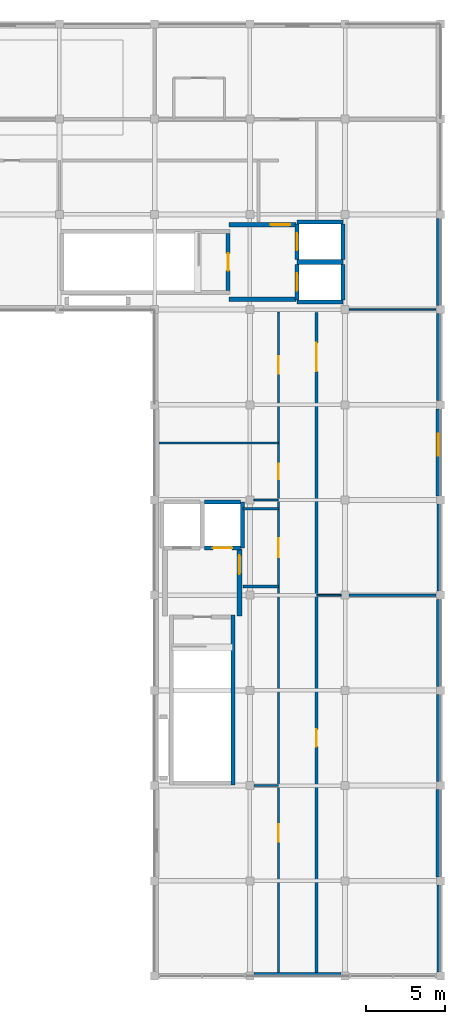
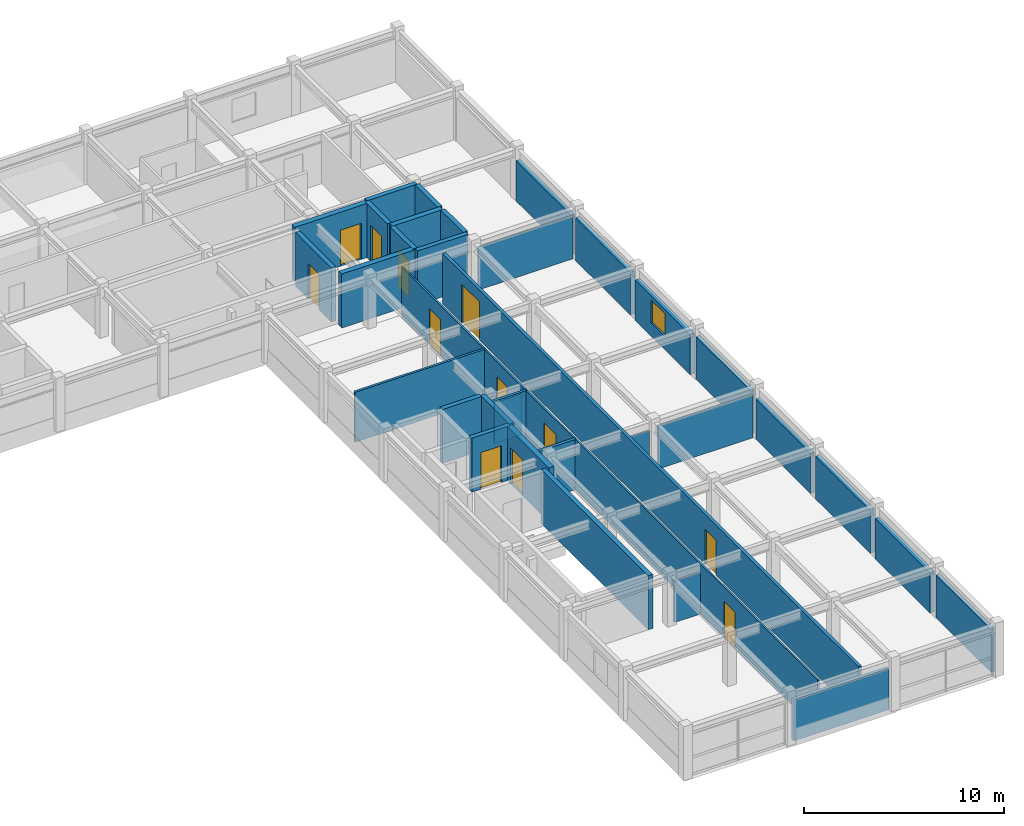
# One storey, part 9 of 11: 34 walls, 12 doors, 1 window, 13 openings.
"""IFC4 building model written with IfcOpenShell, lengths in metres."""

from ifc_helpers import new_model, si_unit, direction, frame, frame_2d, origin, place, context, subcontext, project, spatial, rectangle, extrude, material, layer, layer_set, type_object, element, fill, save


model = new_model("IFC4")

# Units and contexts
model_context = context("Model", 3, precision=1e-05, world=origin(), true_north=direction((0.0, 1.0)))
body_context = subcontext(model_context, "Body", "Model", "MODEL_VIEW")
ifc_project = project(units=[si_unit("LENGTHUNIT", "METRE"), si_unit("AREAUNIT", "SQUARE_METRE"), si_unit("VOLUMEUNIT", "CUBIC_METRE"), si_unit("PLANEANGLEUNIT", "RADIAN"), si_unit("MASSUNIT", "GRAM", prefix="KILO"), si_unit("THERMODYNAMICTEMPERATUREUNIT", "KELVIN"), si_unit("POWERUNIT", "WATT")], contexts=[model_context])

# Site, building, storey
site_placement = place(None, origin())
site = spatial("IfcSite", under=ifc_project, at=site_placement, CompositionType="ELEMENT")
building_placement = place(site_placement, origin())
building = spatial("IfcBuilding", under=site, at=building_placement, Name="Phaisarnlok Congress Hotel", CompositionType="ELEMENT")
storey_placement = place(building_placement, frame((0.0, 0.0, 51.300048828125)))
storey = spatial("IfcBuildingStorey", under=building, at=storey_placement, Name="L13", CompositionType="ELEMENT", Elevation=51.300048828125)

# Walls
ifc_material_1 = material(Name="Concrete C40/50", Category="concrete")
ifc_layer_1 = layer(ifc_material_1, 0.2099609375, Name="Concrete C40/50")
ifc_layer_set_1 = layer_set([ifc_layer_1], Name="Concrete C40/50")
wall_type_1 = type_object("IfcWallType", Name="WL-EXT-210", PredefinedType="SOLIDWALL", material=ifc_layer_set_1)
for number, where, z_axis, x_axis, name in (
    (1, (179.89501953125, 66.2548828125, 0.0), (0.0, 0.0, 1.0), (0.0, 1.0, 0.0), "Exterior wall EW-07 (L13)"),
    (2, (179.89501953125, 90.2548828125, 0.0), (0.0, 0.0, 1.0), (0.0, 1.0, 0.0), "Exterior wall EW-07 (L13)"),
):
    element("IfcWall", number, at=place(storey_placement, frame(where, z_axis=z_axis, x_axis=x_axis)), inside=storey, type_object=wall_type_1, Name=name, PredefinedType="SOLIDWALL", context=body_context, shape_type="SweptSolid", body=[
        extrude(rectangle(XDim=5.490234375, YDim=0.2099609375, at=frame_2d((2.7451171875, 0.0))), origin(), (0.0, 0.0, 1.0), 2.60986328125),
    ])
wall_1_placement = place(storey_placement, frame((168.2548828125, 66.10498046875, 0.0), z_axis=(0.0, 0.0, 1.0), x_axis=(1.0, 0.0, 0.0)))
element("IfcWall", 3, at=wall_1_placement, inside=storey, type_object=wall_type_1, Name="Exterior wall EW-07 (L13)", PredefinedType="SOLIDWALL", context=body_context, shape_type="SweptSolid", body=[
    extrude(rectangle(XDim=5.490234375, YDim=0.2099609375, at=frame_2d((2.7451171875, 0.0))), origin(), (0.0, 0.0, 1.0), 2.510009765625),
])
ifc_layer_2 = layer(ifc_material_1, 0.22998046875, Name="Concrete C40/50")
ifc_layer_set_2 = layer_set([ifc_layer_2], Name="Concrete C40/50")
wall_type_2 = type_object("IfcWallType", Name="WL-EXT-230", PredefinedType="SOLIDWALL", material=ifc_layer_set_2)
for number, where, z_axis, x_axis, name in (
    (4, (179.885009765625, 84.2548828125, 0.0), (0.0, 0.0, 1.0), (0.0, 1.0, 0.0), "Exterior wall EW-06 (L13)"),
    (5, (179.885009765625, 108.2548828125, 0.0), (0.0, 0.0, 1.0), (0.0, 1.0, 0.0), "Exterior wall EW-06 (L13)"),
):
    element("IfcWall", number, at=place(storey_placement, frame(where, z_axis=z_axis, x_axis=x_axis)), inside=storey, type_object=wall_type_2, Name=name, PredefinedType="SOLIDWALL", context=body_context, shape_type="SweptSolid", body=[
        extrude(rectangle(XDim=5.490234375, YDim=0.22998046875, at=frame_2d((2.7451171875, 0.0))), origin(), (0.0, 0.0, 1.0), 2.4599609375),
    ])
ifc_layer_3 = layer(ifc_material_1, 0.25, Name="Concrete C40/50")
ifc_layer_set_3 = layer_set([ifc_layer_3], Name="Concrete C40/50")
wall_type_3 = type_object("IfcWallType", Name="WL-EXT-250", PredefinedType="SOLIDWALL", material=ifc_layer_set_3)
for number, where, z_axis, x_axis, name in (
    (6, (179.875, 78.2548828125, 0.0), (0.0, 0.0, 1.0), (0.0, 1.0, 0.0), "Exterior wall EW-05 (L13)"),
    (7, (179.875, 102.2548828125, 0.0), (0.0, 0.0, 1.0), (0.0, 1.0, 0.0), "Exterior wall EW-05 (L13)"),
):
    element("IfcWall", number, at=place(storey_placement, frame(where, z_axis=z_axis, x_axis=x_axis)), inside=storey, type_object=wall_type_3, Name=name, PredefinedType="SOLIDWALL", context=body_context, shape_type="SweptSolid", body=[
        extrude(rectangle(XDim=5.490234375, YDim=0.25, at=frame_2d((2.7451171875, 0.0))), origin(), (0.0, 0.0, 1.0), 2.60986328125),
    ])
ifc_layer_4 = layer(ifc_material_1, 0.27001953125, Name="Concrete C40/50")
ifc_layer_set_4 = layer_set([ifc_layer_4], Name="Concrete C40/50")
wall_type_4 = type_object("IfcWallType", Name="WL-EXT-270", PredefinedType="SOLIDWALL", material=ifc_layer_set_4)
wall_2_placement = place(storey_placement, frame((179.864990234375, 72.2548828125, 0.0), z_axis=(0.0, 0.0, 1.0), x_axis=(0.0, 1.0, 0.0)))
element("IfcWall", 8, at=wall_2_placement, inside=storey, type_object=wall_type_4, Name="Exterior wall EW-04 (L13)", PredefinedType="SOLIDWALL", context=body_context, shape_type="SweptSolid", body=[
    extrude(rectangle(XDim=5.490234375, YDim=0.27001953125, at=frame_2d((2.7451171875, 0.0))), origin(), (0.0, 0.0, 1.0), 2.4599609375),
])

# Wall, opening, window
wall_3_placement = place(storey_placement, frame((179.864990234375, 96.2548828125, 0.0), z_axis=(0.0, 0.0, 1.0), x_axis=(0.0, 1.0, 0.0)))
wall_3 = element("IfcWall", 9, at=wall_3_placement, inside=storey, type_object=wall_type_4, Name="Exterior wall EW-04 (L13)", PredefinedType="SOLIDWALL", context=body_context, shape_type="SweptSolid", body=[
    extrude(rectangle(XDim=5.490234375, YDim=0.27001953125, at=frame_2d((2.7451171875, 0.0))), origin(), (0.0, 0.0, 1.0), 2.4599609375),
])
opening_1_placement = place(wall_3_placement, frame((2.51806640625, 0.0, 0.800048828125)))
opening_1 = element("IfcOpeningElement", 10, at=opening_1_placement, cuts=wall_3, Name="Opening W-13", PredefinedType="OPENING", context=body_context, shape_type="SweptSolid", body=[
    extrude(rectangle(XDim=1.39990234375, YDim=1.39990234375, at=frame_2d((0.699951171875, 0.699951171875))), frame((0.0, 0.14501953125, 0.0), z_axis=(0.0, -1.0, 0.0), x_axis=(1.0, 0.0, 0.0)), (0.0, 0.0, 1.0), 0.2900390625),
])
ifc_material_2 = material(Name="Thermally Broken Aluminium & Low-E Double Glazing", Category="aluminium")
window_type = type_object("IfcWindowType", Name="WIN-POD-1400", PartitioningType="SINGLE_PANEL", PredefinedType="WINDOW", material=ifc_material_2)
window_placement = place(opening_1_placement, origin())
window = element("IfcWindow", 11, at=window_placement, inside=storey, type_object=window_type, Name="Guestroom window W-13 (L13)", OverallHeight=1.39990234375, OverallWidth=1.39990234375, PartitioningType="SINGLE_PANEL", PredefinedType="WINDOW", context=body_context, shape_type="SweptSolid", body=[
    extrude(rectangle(XDim=1.39990234375, YDim=1.39990234375, at=frame_2d((0.699951171875, 0.699951171875))), frame((0.0, 0.030029296875, 0.0), z_axis=(0.0, -1.0, 0.0), x_axis=(1.0, 0.0, 0.0)), (0.0, 0.0, 1.0), 0.06005859375),
])
fill(opening_1, window)

# Wall, openings, doors
ifc_material_3 = material(Name="Service Riser Shaftwall Partition", Category="gypsum")
ifc_layer_5 = layer(ifc_material_3, 0.10498046875, Name="Service Riser Shaftwall Partition")
ifc_layer_set_5 = layer_set([ifc_layer_5], Name="Service Riser Shaftwall Partition")
wall_type_5 = type_object("IfcWallType", Name="WL-INT-105", PredefinedType="PARTITIONING", material=ifc_layer_set_5)
wall_4_placement = place(storey_placement, frame((169.800048828125, 66.215087890625, 0.0), z_axis=(0.0, 0.0, 1.0), x_axis=(0.0, 1.0, 0.0)))
wall_4 = element("IfcWall", 12, at=wall_4_placement, inside=storey, type_object=wall_type_5, Name="Interior partition wall IW-08 (L13)", PredefinedType="PARTITIONING", context=body_context, shape_type="SweptSolid", body=[
    extrude(rectangle(XDim=41.60498046875, YDim=0.10498046875, at=frame_2d((20.802490234375, 0.0))), origin(), (0.0, 0.0, 1.0), 3.06005859375),
])
opening_2_placement = place(wall_4_placement, frame((26.18505859375, 0.0, 0.0)))
opening_2 = element("IfcOpeningElement", 13, at=opening_2_placement, cuts=wall_4, Name="Opening D-0726", PredefinedType="OPENING", context=body_context, shape_type="SweptSolid", body=[
    extrude(rectangle(XDim=1.199951171875, YDim=2.199951171875, at=frame_2d((0.60009765625, 1.10009765625))), frame((0.0, 0.0625, 0.0), z_axis=(0.0, -1.0, 0.0), x_axis=(1.0, 0.0, 0.0)), (0.0, 0.0, 1.0), 0.125),
])
opening_3_placement = place(wall_4_placement, frame((8.235107421875, 0.0, 0.0)))
opening_3 = element("IfcOpeningElement", 14, at=opening_3_placement, cuts=wall_4, Name="Opening D-0737", PredefinedType="OPENING", context=body_context, shape_type="SweptSolid", body=[
    extrude(rectangle(XDim=1.10009765625, YDim=2.199951171875, at=frame_2d((0.550048828125, 1.10009765625))), frame((0.0, 0.0625, 0.0), z_axis=(0.0, -1.0, 0.0), x_axis=(1.0, 0.0, 0.0)), (0.0, 0.0, 1.0), 0.125),
])
opening_4_placement = place(wall_4_placement, frame((37.735107421875, 0.0, 0.0)))
opening_4 = element("IfcOpeningElement", 15, at=opening_4_placement, cuts=wall_4, Name="Opening D-0738", PredefinedType="OPENING", context=body_context, shape_type="SweptSolid", body=[
    extrude(rectangle(XDim=1.10009765625, YDim=2.199951171875, at=frame_2d((0.550048828125, 1.10009765625))), frame((0.0, 0.0625, 0.0), z_axis=(0.0, -1.0, 0.0), x_axis=(1.0, 0.0, 0.0)), (0.0, 0.0, 1.0), 0.125),
])
opening_5_placement = place(wall_4_placement, frame((31.0849609375, 0.0, 0.0)))
opening_5 = element("IfcOpeningElement", 16, at=opening_5_placement, cuts=wall_4, Name="Opening D-0740", PredefinedType="OPENING", context=body_context, shape_type="SweptSolid", body=[
    extrude(rectangle(XDim=1.0, YDim=2.14990234375, at=frame_2d((0.5, 1.074951171875))), frame((0.0, 0.0625, 0.0), z_axis=(0.0, -1.0, 0.0), x_axis=(1.0, 0.0, 0.0)), (0.0, 0.0, 1.0), 0.125),
])
ifc_material_4 = material(Name="Acoustic Solid-Core Teak Veneer", Category="wood")
door_type_1 = type_object("IfcDoorType", Name="DR-FD30-1100", OperationType="NOTDEFINED", PredefinedType="DOOR", material=ifc_material_4)
door_1_placement = place(opening_3_placement, origin())
door_1 = element("IfcDoor", 17, at=door_1_placement, inside=storey, type_object=door_type_1, Name="Interior door D-0737 (L13)", OperationType="SINGLE_SWING_LEFT", OverallHeight=2.199951171875, OverallWidth=1.10009765625, PredefinedType="DOOR", context=body_context, shape_type="SweptSolid", body=[
    extrude(rectangle(XDim=1.10009765625, YDim=2.199951171875, at=frame_2d((0.550048828125, 1.10009765625))), frame((0.0, 0.02490234375, 0.0), z_axis=(0.0, -1.0, 0.0), x_axis=(1.0, 0.0, 0.0)), (0.0, 0.0, 1.0), 0.050048828125),
])
fill(opening_3, door_1)
door_2_placement = place(opening_4_placement, origin())
door_2 = element("IfcDoor", 18, at=door_2_placement, inside=storey, type_object=door_type_1, Name="Interior door D-0738 (L13)", OperationType="SINGLE_SWING_RIGHT", OverallHeight=2.199951171875, OverallWidth=1.10009765625, PredefinedType="DOOR", context=body_context, shape_type="SweptSolid", body=[
    extrude(rectangle(XDim=1.10009765625, YDim=2.199951171875, at=frame_2d((0.550048828125, 1.10009765625))), frame((0.0, 0.02490234375, 0.0), z_axis=(0.0, -1.0, 0.0), x_axis=(1.0, 0.0, 0.0)), (0.0, 0.0, 1.0), 0.050048828125),
])
fill(opening_4, door_2)
ifc_material_5 = material(Name="Fire-Rated Steel Frame & Timber Leaf", Category="steel")
door_type_2 = type_object("IfcDoorType", Name="DR-FD60-1200", OperationType="NOTDEFINED", PredefinedType="DOOR", material=ifc_material_5)
door_3_placement = place(opening_2_placement, origin())
door_3 = element("IfcDoor", 19, at=door_3_placement, inside=storey, type_object=door_type_2, Name="Interior door D-0726 (L13)", OperationType="SINGLE_SWING_LEFT", OverallHeight=2.199951171875, OverallWidth=1.199951171875, PredefinedType="DOOR", context=body_context, shape_type="SweptSolid", body=[
    extrude(rectangle(XDim=1.199951171875, YDim=2.199951171875, at=frame_2d((0.60009765625, 1.10009765625))), frame((0.0, 0.02490234375, 0.0), z_axis=(0.0, -1.0, 0.0), x_axis=(1.0, 0.0, 0.0)), (0.0, 0.0, 1.0), 0.050048828125),
])
fill(opening_2, door_3)
ifc_material_6 = material(Name="Solid-Core Oak Veneer", Category="wood")
door_type_3 = type_object("IfcDoorType", Name="DR-INT-1000", OperationType="NOTDEFINED", PredefinedType="DOOR", material=ifc_material_6)
door_4_placement = place(opening_5_placement, origin())
door_4 = element("IfcDoor", 20, at=door_4_placement, inside=storey, type_object=door_type_3, Name="Interior door D-0740 (L13)", OperationType="SINGLE_SWING_RIGHT", OverallHeight=2.14990234375, OverallWidth=1.0, PredefinedType="DOOR", context=body_context, shape_type="SweptSolid", body=[
    extrude(rectangle(XDim=1.0, YDim=2.14990234375, at=frame_2d((0.5, 1.074951171875))), frame((0.0, 0.02490234375, 0.0), z_axis=(0.0, -1.0, 0.0), x_axis=(1.0, 0.0, 0.0)), (0.0, 0.0, 1.0), 0.050048828125),
])
fill(opening_5, door_4)

# Walls
wall_5_placement = place(storey_placement, frame((174.2548828125, 108.0, 0.0), z_axis=(0.0, 0.0, 1.0), x_axis=(1.0, 0.0, 0.0)))
element("IfcWall", 21, at=wall_5_placement, inside=storey, type_object=wall_type_5, Name="Interior partition wall IW-08 (L13)", PredefinedType="PARTITIONING", context=body_context, shape_type="SweptSolid", body=[
    extrude(rectangle(XDim=5.465087890625, YDim=0.10498046875, at=frame_2d((2.732421875, 0.0))), origin(), (0.0, 0.0, 1.0), 2.619873046875),
])
ifc_material_7 = material(Name="Lightweight Metal-Stud Gypsum Partition", Category="gypsum")
ifc_layer_6 = layer(ifc_material_7, 0.1201171875, Name="Lightweight Metal-Stud Gypsum Partition")
ifc_layer_set_6 = layer_set([ifc_layer_6], Name="Lightweight Metal-Stud Gypsum Partition")
wall_type_6 = type_object("IfcWallType", Name="WL-INT-120", PredefinedType="PARTITIONING", material=ifc_layer_set_6)
for number, where, z_axis, x_axis, name in (
    (22, (172.199951171875, 90.0, 0.0), (0.0, 0.0, 1.0), (1.0, 0.0, 0.0), "Interior partition wall IW-07 (L13)"),
    (23, (168.2548828125, 96.0, 0.0), (0.0, 0.0, 1.0), (1.0, 0.0, 0.0), "Interior partition wall IW-07 (L13)"),
):
    element("IfcWall", number, at=place(storey_placement, frame(where, z_axis=z_axis, x_axis=x_axis)), inside=storey, type_object=wall_type_6, Name=name, PredefinedType="PARTITIONING", context=body_context, shape_type="SweptSolid", body=[
        extrude(rectangle(XDim=1.545166015625, YDim=0.1201171875, at=frame_2d((0.7724609375, 0.0))), origin(), (0.0, 0.0, 1.0), 2.510009765625),
    ])
ifc_material_8 = material(Name="Moisture-Resistant Gypsum Partition", Category="gypsum")
ifc_layer_7 = layer(ifc_material_8, 0.135009765625, Name="Moisture-Resistant Gypsum Partition")
ifc_layer_set_7 = layer_set([ifc_layer_7], Name="Moisture-Resistant Gypsum Partition")
wall_type_7 = type_object("IfcWallType", Name="WL-INT-135", PredefinedType="PARTITIONING", material=ifc_layer_set_7)
wall_6_placement = place(storey_placement, frame((168.2548828125, 78.0, 0.0), z_axis=(0.0, 0.0, 1.0), x_axis=(1.0, 0.0, 0.0)))
element("IfcWall", 24, at=wall_6_placement, inside=storey, type_object=wall_type_7, Name="Interior partition wall IW-06 (L13)", PredefinedType="PARTITIONING", context=body_context, shape_type="SweptSolid", body=[
    extrude(rectangle(XDim=1.545166015625, YDim=0.135009765625, at=frame_2d((0.7724609375, 0.0))), origin(), (0.0, 0.0, 1.0), 2.510009765625),
])
wall_7_placement = place(storey_placement, frame((174.2548828125, 90.0, 0.0), z_axis=(0.0, 0.0, 1.0), x_axis=(1.0, 0.0, 0.0)))
element("IfcWall", 25, at=wall_7_placement, inside=storey, type_object=wall_type_7, Name="Interior partition wall IW-06 (L13)", PredefinedType="PARTITIONING", context=body_context, shape_type="SweptSolid", body=[
    extrude(rectangle(XDim=5.465087890625, YDim=0.135009765625, at=frame_2d((2.732421875, 0.0))), origin(), (0.0, 0.0, 1.0), 2.619873046875),
])
wall_8_placement = place(storey_placement, frame((162.27490234375, 99.60009765625, 0.0), z_axis=(0.0, 0.0, 1.0), x_axis=(1.0, 0.0, 0.0)))
element("IfcWall", 26, at=wall_8_placement, inside=storey, type_object=wall_type_7, Name="Interior partition wall IW-06 (L13)", PredefinedType="PARTITIONING", context=body_context, shape_type="SweptSolid", body=[
    extrude(rectangle(XDim=7.525146484375, YDim=0.135009765625, at=frame_2d((3.7626953125, 0.0))), origin(), (0.0, 0.0, 1.0), 3.06005859375),
])
ifc_material_9 = material(Name="Double-Stud Acoustic Gypsum Partition", Category="gypsum")
ifc_layer_8 = layer(ifc_material_9, 0.159912109375, Name="Double-Stud Acoustic Gypsum Partition")
ifc_layer_set_8 = layer_set([ifc_layer_8], Name="Double-Stud Acoustic Gypsum Partition")
wall_type_8 = type_object("IfcWallType", Name="WL-INT-160", PredefinedType="PARTITIONING", material=ifc_layer_set_8)
wall_9_placement = place(storey_placement, frame((167.56005859375, 95.449951171875, 0.0), z_axis=(0.0, 0.0, 1.0), x_axis=(1.0, 0.0, 0.0)))
element("IfcWall", 27, at=wall_9_placement, inside=storey, type_object=wall_type_8, Name="Interior partition wall IW-04 (L13)", PredefinedType="PARTITIONING", context=body_context, shape_type="SweptSolid", body=[
    extrude(rectangle(XDim=2.239990234375, YDim=0.159912109375, at=frame_2d((1.1201171875, 0.0))), origin(), (0.0, 0.0, 1.0), 3.06005859375),
])

# Wall, openings, doors
ifc_material_10 = material(Name="Autoclaved Aerated Concrete Block", Category="concrete")
ifc_layer_9 = layer(ifc_material_10, 0.179931640625, Name="Autoclaved Aerated Concrete Block")
ifc_layer_set_9 = layer_set([ifc_layer_9], Name="Autoclaved Aerated Concrete Block")
wall_type_9 = type_object("IfcWallType", Name="WL-INT-180", PredefinedType="PARTITIONING", material=ifc_layer_set_9)
wall_10_placement = place(storey_placement, frame((172.199951171875, 66.215087890625, 0.0), z_axis=(0.0, 0.0, 1.0), x_axis=(0.0, 1.0, 0.0)))
wall_10 = element("IfcWall", 28, at=wall_10_placement, inside=storey, type_object=wall_type_9, Name="Interior partition wall IW-03 (L13)", PredefinedType="PARTITIONING", context=body_context, shape_type="SweptSolid", body=[
    extrude(rectangle(XDim=41.60498046875, YDim=0.179931640625, at=frame_2d((20.802490234375, 0.0))), origin(), (0.0, 0.0, 1.0), 3.06005859375),
])
opening_6_placement = place(wall_10_placement, frame((37.885009765625, 0.0, 0.0)))
opening_6 = element("IfcOpeningElement", 29, at=opening_6_placement, cuts=wall_10, Name="Opening D-0735", PredefinedType="OPENING", context=body_context, shape_type="SweptSolid", body=[
    extrude(rectangle(XDim=1.800048828125, YDim=2.35009765625, at=frame_2d((0.89990234375, 1.175048828125))), frame((0.0, 0.10009765625, 0.0), z_axis=(0.0, -1.0, 0.0), x_axis=(1.0, 0.0, 0.0)), (0.0, 0.0, 1.0), 0.199951171875),
])
opening_7_placement = place(wall_10_placement, frame((14.235107421875, 0.0, 0.0)))
opening_7 = element("IfcOpeningElement", 30, at=opening_7_placement, cuts=wall_10, Name="Opening D-0736", PredefinedType="OPENING", context=body_context, shape_type="SweptSolid", body=[
    extrude(rectangle(XDim=1.10009765625, YDim=2.14990234375, at=frame_2d((0.550048828125, 1.074951171875))), frame((0.0, 0.10009765625, 0.0), z_axis=(0.0, -1.0, 0.0), x_axis=(1.0, 0.0, 0.0)), (0.0, 0.0, 1.0), 0.199951171875),
])
door_type_4 = type_object("IfcDoorType", Name="DR-FD60-1100", OperationType="NOTDEFINED", PredefinedType="DOOR", material=ifc_material_5)
door_5_placement = place(opening_7_placement, origin())
door_5 = element("IfcDoor", 31, at=door_5_placement, inside=storey, type_object=door_type_4, Name="Interior door D-0736 (L13)", OperationType="SINGLE_SWING_RIGHT", OverallHeight=2.14990234375, OverallWidth=1.10009765625, PredefinedType="DOOR", context=body_context, shape_type="SweptSolid", body=[
    extrude(rectangle(XDim=1.10009765625, YDim=2.14990234375, at=frame_2d((0.550048828125, 1.074951171875))), frame((0.0, 0.02490234375, 0.0), z_axis=(0.0, -1.0, 0.0), x_axis=(1.0, 0.0, 0.0)), (0.0, 0.0, 1.0), 0.050048828125),
])
fill(opening_7, door_5)
ifc_material_11 = material(Name="Frameless Tempered Acoustic Glass", Category="glass")
door_type_5 = type_object("IfcDoorType", Name="DR-GLZ-1800", OperationType="DOUBLE_DOOR_SINGLE_SWING", PredefinedType="DOOR", material=ifc_material_11)
door_6_placement = place(opening_6_placement, origin())
door_6 = element("IfcDoor", 32, at=door_6_placement, inside=storey, type_object=door_type_5, Name="Interior door D-0735 (L13)", OperationType="DOUBLE_DOOR_SINGLE_SWING", OverallHeight=2.35009765625, OverallWidth=1.800048828125, PredefinedType="DOOR", context=body_context, shape_type="SweptSolid", body=[
    extrude(rectangle(XDim=1.800048828125, YDim=2.35009765625, at=frame_2d((0.89990234375, 1.175048828125))), frame((0.0, 0.02490234375, 0.0), z_axis=(0.0, -1.0, 0.0), x_axis=(1.0, 0.0, 0.0)), (0.0, 0.0, 1.0), 0.050048828125),
])
fill(opening_6, door_6)

# Wall
wall_11_placement = place(storey_placement, frame((167.56005859375, 90.550048828125, 0.0), z_axis=(0.0, 0.0, 1.0), x_axis=(1.0, 0.0, 0.0)))
element("IfcWall", 33, at=wall_11_placement, inside=storey, type_object=wall_type_9, Name="Interior partition wall IW-03 (L13)", PredefinedType="PARTITIONING", context=body_context, shape_type="SweptSolid", body=[
    extrude(rectangle(XDim=2.239990234375, YDim=0.179931640625, at=frame_2d((1.1201171875, 0.0))), origin(), (0.0, 0.0, 1.0), 3.06005859375),
])

# Wall, opening, door
ifc_material_12 = material(Name="Concrete C50/60", Category="concrete")
ifc_layer_10 = layer(ifc_material_12, 0.260009765625, Name="Concrete C50/60")
ifc_layer_set_10 = layer_set([ifc_layer_10], Name="Concrete C50/60")
wall_type_10 = type_object("IfcWallType", Name="WL-SHR-260", PredefinedType="SHEAR", material=ifc_layer_set_10)
wall_12_placement = place(storey_placement, frame((166.6298828125, 109.199951171875, 0.0), z_axis=(0.0, 0.0, 1.0), x_axis=(0.0, 1.0, 0.0)))
wall_12 = element("IfcWall", 34, at=wall_12_placement, inside=storey, type_object=wall_type_10, Name="Stair shaft shear wall SW-04 (CORE-1 L13)", PredefinedType="SHEAR", context=body_context, shape_type="SweptSolid", body=[
    extrude(rectangle(XDim=3.60009765625, YDim=0.260009765625, at=frame_2d((1.800048828125, 0.0))), origin(), (0.0, 0.0, 1.0), 3.300048828125),
])
opening_8_placement = place(wall_12_placement, frame((1.25, 0.0, 0.0)))
opening_8 = element("IfcOpeningElement", 35, at=opening_8_placement, cuts=wall_12, Name="Opening FD-015", PredefinedType="OPENING", context=body_context, shape_type="SweptSolid", body=[
    extrude(rectangle(XDim=1.10009765625, YDim=2.14990234375, at=frame_2d((0.550048828125, 1.074951171875))), frame((0.0, 0.14013671875, 0.0), z_axis=(0.0, -1.0, 0.0), x_axis=(1.0, 0.0, 0.0)), (0.0, 0.0, 1.0), 0.280029296875),
])
door_7_placement = place(opening_8_placement, origin())
door_7 = element("IfcDoor", 36, at=door_7_placement, inside=storey, type_object=door_type_4, Name="Stair enclosure fire door FD-015 (L13)", OperationType="SINGLE_SWING_RIGHT", OverallHeight=2.14990234375, OverallWidth=1.10009765625, PredefinedType="DOOR", context=body_context, shape_type="SweptSolid", body=[
    extrude(rectangle(XDim=1.10009765625, YDim=2.14990234375, at=frame_2d((0.550048828125, 1.074951171875))), frame((0.0, 0.02490234375, 0.0), z_axis=(0.0, -1.0, 0.0), x_axis=(1.0, 0.0, 0.0)), (0.0, 0.0, 1.0), 0.050048828125),
])
fill(opening_8, door_7)

# Walls
wall_13_placement = place(storey_placement, frame((170.969970703125, 108.469970703125, 0.0), z_axis=(0.0, 0.0, 1.0), x_axis=(1.0, 0.0, 0.0)))
element("IfcWall", 37, at=wall_13_placement, inside=storey, type_object=wall_type_10, Name="Lift shaft shear wall SW-04 (LF-FF1 L13)", PredefinedType="SHEAR", context=body_context, shape_type="SweptSolid", body=[
    extrude(rectangle(XDim=2.909912109375, YDim=0.260009765625, at=frame_2d((1.455078125, 0.0))), origin(), (0.0, 0.0, 1.0), 3.300048828125),
])
wall_14_placement = place(storey_placement, frame((173.8798828125, 108.60009765625, 0.0), z_axis=(0.0, 0.0, 1.0), x_axis=(0.0, 1.0, 0.0)))
element("IfcWall", 38, at=wall_14_placement, inside=storey, type_object=wall_type_10, Name="Lift shaft shear wall SW-04 (LF-FF1 L13)", PredefinedType="SHEAR", context=body_context, shape_type="SweptSolid", body=[
    extrude(rectangle(XDim=2.25, YDim=0.260009765625, at=frame_2d((1.125, 0.0))), origin(), (0.0, 0.0, 1.0), 3.300048828125),
])

# Wall, opening, door
wall_15_placement = place(storey_placement, frame((170.969970703125, 108.60009765625, 0.0), z_axis=(0.0, 0.0, 1.0), x_axis=(0.0, 1.0, 0.0)))
wall_15 = element("IfcWall", 39, at=wall_15_placement, inside=storey, type_object=wall_type_10, Name="Lift shaft front wall SW-04 (LF-FF1 L13)", PredefinedType="SHEAR", context=body_context, shape_type="SweptSolid", body=[
    extrude(rectangle(XDim=2.25, YDim=0.260009765625, at=frame_2d((1.125, 0.0))), origin(), (0.0, 0.0, 1.0), 3.300048828125),
])
opening_9_placement = place(wall_15_placement, frame((0.574951171875, 0.0, 0.0)))
opening_9 = element("IfcOpeningElement", 40, at=opening_9_placement, cuts=wall_15, Name="Opening LD-015", PredefinedType="OPENING", context=body_context, shape_type="SweptSolid", body=[
    extrude(rectangle(XDim=1.10009765625, YDim=2.199951171875, at=frame_2d((0.550048828125, 1.10009765625))), frame((0.0, 0.14013671875, 0.0), z_axis=(0.0, -1.0, 0.0), x_axis=(1.0, 0.0, 0.0)), (0.0, 0.0, 1.0), 0.280029296875),
])
ifc_material_13 = material(Name="Brushed Stainless Steel Grade 304", Category="steel")
door_type_6 = type_object("IfcDoorType", Name="DR-LD-1100", OperationType="DOUBLE_DOOR_SLIDING", PredefinedType="DOOR", material=ifc_material_13)
door_8_placement = place(opening_9_placement, origin())
door_8 = element("IfcDoor", 41, at=door_8_placement, inside=storey, type_object=door_type_6, Name="Lift landing sliding door LD-015 (LF-FF1 L13)", OperationType="DOUBLE_DOOR_SLIDING", OverallHeight=2.199951171875, OverallWidth=1.10009765625, PredefinedType="DOOR", context=body_context, shape_type="SweptSolid", body=[
    extrude(rectangle(XDim=1.10009765625, YDim=2.199951171875, at=frame_2d((0.550048828125, 1.10009765625))), frame((0.0, 0.02490234375, 0.0), z_axis=(0.0, -1.0, 0.0), x_axis=(1.0, 0.0, 0.0)), (0.0, 0.0, 1.0), 0.050048828125),
])
fill(opening_9, door_8)

# Walls
wall_16_placement = place(storey_placement, frame((170.969970703125, 113.530029296875, 0.0), z_axis=(0.0, 0.0, 1.0), x_axis=(1.0, 0.0, 0.0)))
element("IfcWall", 42, at=wall_16_placement, inside=storey, type_object=wall_type_10, Name="Lift shaft shear wall SW-04 (LF-HP1 L13)", PredefinedType="SHEAR", context=body_context, shape_type="SweptSolid", body=[
    extrude(rectangle(XDim=2.909912109375, YDim=0.260009765625, at=frame_2d((1.455078125, 0.0))), origin(), (0.0, 0.0, 1.0), 3.300048828125),
])
wall_17_placement = place(storey_placement, frame((173.8798828125, 111.14990234375, 0.0), z_axis=(0.0, 0.0, 1.0), x_axis=(0.0, 1.0, 0.0)))
element("IfcWall", 43, at=wall_17_placement, inside=storey, type_object=wall_type_10, Name="Lift shaft shear wall SW-04 (LF-HP1 L13)", PredefinedType="SHEAR", context=body_context, shape_type="SweptSolid", body=[
    extrude(rectangle(XDim=2.25, YDim=0.260009765625, at=frame_2d((1.125, 0.0))), origin(), (0.0, 0.0, 1.0), 3.300048828125),
])

# Wall, opening, door
wall_18_placement = place(storey_placement, frame((170.969970703125, 111.14990234375, 0.0), z_axis=(0.0, 0.0, 1.0), x_axis=(0.0, 1.0, 0.0)))
wall_18 = element("IfcWall", 44, at=wall_18_placement, inside=storey, type_object=wall_type_10, Name="Lift shaft front wall SW-04 (LF-HP1 L13)", PredefinedType="SHEAR", context=body_context, shape_type="SweptSolid", body=[
    extrude(rectangle(XDim=2.25, YDim=0.260009765625, at=frame_2d((1.125, 0.0))), origin(), (0.0, 0.0, 1.0), 3.300048828125),
])
opening_10_placement = place(wall_18_placement, frame((0.574951171875, 0.0, 0.0)))
opening_10 = element("IfcOpeningElement", 45, at=opening_10_placement, cuts=wall_18, Name="Opening LD-030", PredefinedType="OPENING", context=body_context, shape_type="SweptSolid", body=[
    extrude(rectangle(XDim=1.10009765625, YDim=2.199951171875, at=frame_2d((0.550048828125, 1.10009765625))), frame((0.0, 0.14013671875, 0.0), z_axis=(0.0, -1.0, 0.0), x_axis=(1.0, 0.0, 0.0)), (0.0, 0.0, 1.0), 0.280029296875),
])
door_9_placement = place(opening_10_placement, origin())
door_9 = element("IfcDoor", 46, at=door_9_placement, inside=storey, type_object=door_type_6, Name="Lift landing sliding door LD-030 (LF-HP1 L13)", OperationType="DOUBLE_DOOR_SLIDING", OverallHeight=2.199951171875, OverallWidth=1.10009765625, PredefinedType="DOOR", context=body_context, shape_type="SweptSolid", body=[
    extrude(rectangle(XDim=1.10009765625, YDim=2.199951171875, at=frame_2d((0.550048828125, 1.10009765625))), frame((0.0, 0.02490234375, 0.0), z_axis=(0.0, -1.0, 0.0), x_axis=(1.0, 0.0, 0.0)), (0.0, 0.0, 1.0), 0.050048828125),
])
fill(opening_10, door_9)

# Walls
wall_19_placement = place(storey_placement, frame((166.929931640625, 78.0400390625, 0.0), z_axis=(0.0, 0.0, 1.0), x_axis=(0.0, 1.0, 0.0)))
element("IfcWall", 47, at=wall_19_placement, inside=storey, type_object=wall_type_10, Name="Stair shaft shear wall SW-04 (CORE-3 L13)", PredefinedType="SHEAR", context=body_context, shape_type="SweptSolid", body=[
    extrude(rectangle(XDim=10.719970703125, YDim=0.260009765625, at=frame_2d((5.35986328125, 0.0))), origin(), (0.0, 0.0, 1.0), 3.300048828125),
])
wall_20_placement = place(storey_placement, frame((167.530029296875, 92.969970703125, 0.0), z_axis=(0.0, 0.0, 1.0), x_axis=(0.0, 1.0, 0.0)))
element("IfcWall", 48, at=wall_20_placement, inside=storey, type_object=wall_type_10, Name="Lift shaft shear wall SW-04 (LF-SV1 L13)", PredefinedType="SHEAR", context=body_context, shape_type="SweptSolid", body=[
    extrude(rectangle(XDim=2.909912109375, YDim=0.260009765625, at=frame_2d((1.455078125, 0.0))), origin(), (0.0, 0.0, 1.0), 3.300048828125),
])
wall_21_placement = place(storey_placement, frame((165.14990234375, 95.8798828125, 0.0), z_axis=(0.0, 0.0, 1.0), x_axis=(1.0, 0.0, 0.0)))
element("IfcWall", 49, at=wall_21_placement, inside=storey, type_object=wall_type_10, Name="Lift shaft shear wall SW-04 (LF-SV1 L13)", PredefinedType="SHEAR", context=body_context, shape_type="SweptSolid", body=[
    extrude(rectangle(XDim=2.25, YDim=0.260009765625, at=frame_2d((1.125, 0.0))), origin(), (0.0, 0.0, 1.0), 3.300048828125),
])

# Wall, opening, door
wall_22_placement = place(storey_placement, frame((165.14990234375, 92.969970703125, 0.0), z_axis=(0.0, 0.0, 1.0), x_axis=(1.0, 0.0, 0.0)))
wall_22 = element("IfcWall", 50, at=wall_22_placement, inside=storey, type_object=wall_type_10, Name="Lift shaft front wall SW-04 (LF-SV1 L13)", PredefinedType="SHEAR", context=body_context, shape_type="SweptSolid", body=[
    extrude(rectangle(XDim=2.25, YDim=0.260009765625, at=frame_2d((1.125, 0.0))), origin(), (0.0, 0.0, 1.0), 3.300048828125),
])
opening_11_placement = place(wall_22_placement, frame((0.52490234375, 0.0, 0.0)))
opening_11 = element("IfcOpeningElement", 51, at=opening_11_placement, cuts=wall_22, Name="Opening LD-090", PredefinedType="OPENING", context=body_context, shape_type="SweptSolid", body=[
    extrude(rectangle(XDim=1.199951171875, YDim=2.25, at=frame_2d((0.60009765625, 1.125))), frame((0.0, 0.14013671875, 0.0), z_axis=(0.0, -1.0, 0.0), x_axis=(1.0, 0.0, 0.0)), (0.0, 0.0, 1.0), 0.280029296875),
])
door_type_7 = type_object("IfcDoorType", Name="DR-LD-1200", OperationType="DOUBLE_DOOR_SLIDING", PredefinedType="DOOR", material=ifc_material_13)
door_10_placement = place(opening_11_placement, origin())
door_10 = element("IfcDoor", 52, at=door_10_placement, inside=storey, type_object=door_type_7, Name="Lift landing sliding door LD-090 (LF-SV1 L13)", OperationType="DOUBLE_DOOR_SLIDING", OverallHeight=2.25, OverallWidth=1.199951171875, PredefinedType="DOOR", context=body_context, shape_type="SweptSolid", body=[
    extrude(rectangle(XDim=1.199951171875, YDim=2.25, at=frame_2d((0.60009765625, 1.125))), frame((0.0, 0.02490234375, 0.0), z_axis=(0.0, -1.0, 0.0), x_axis=(1.0, 0.0, 0.0)), (0.0, 0.0, 1.0), 0.050048828125),
])
fill(opening_11, door_10)

# Wall
ifc_layer_11 = layer(ifc_material_12, 0.300048828125, Name="Concrete C50/60")
ifc_layer_set_11 = layer_set([ifc_layer_11], Name="Concrete C50/60")
wall_type_11 = type_object("IfcWallType", Name="WL-SHR-300", PredefinedType="SHEAR", material=ifc_layer_set_11)
wall_23_placement = place(storey_placement, frame((170.969970703125, 111.0, 0.0), z_axis=(0.0, 0.0, 1.0), x_axis=(1.0, 0.0, 0.0)))
element("IfcWall", 53, at=wall_23_placement, inside=storey, type_object=wall_type_11, Name="Lift shaft divider shear wall SW-03 (LF-FF1 L13)", PredefinedType="SHEAR", context=body_context, shape_type="SweptSolid", body=[
    extrude(rectangle(XDim=2.909912109375, YDim=0.300048828125, at=frame_2d((1.455078125, 0.0))), origin(), (0.0, 0.0, 1.0), 3.300048828125),
])

# Wall, opening, door
wall_24_placement = place(storey_placement, frame((166.679931640625, 113.35009765625, 0.0), z_axis=(0.0, 0.0, 1.0), x_axis=(1.0, 0.0, 0.0)))
wall_24 = element("IfcWall", 54, at=wall_24_placement, inside=storey, type_object=wall_type_11, Name="Core lobby EI-120 wall SW-03 (CORE-1 L13)", PredefinedType="SHEAR", context=body_context, shape_type="SweptSolid", body=[
    extrude(rectangle(XDim=4.239990234375, YDim=0.300048828125, at=frame_2d((2.1201171875, 0.0))), origin(), (0.0, 0.0, 1.0), 3.300048828125),
])
opening_12_placement = place(wall_24_placement, frame((2.64990234375, 0.0, 0.0)))
opening_12 = element("IfcOpeningElement", 55, at=opening_12_placement, cuts=wall_24, Name="Opening FD-030", PredefinedType="OPENING", context=body_context, shape_type="SweptSolid", body=[
    extrude(rectangle(XDim=1.199951171875, YDim=2.199951171875, at=frame_2d((0.60009765625, 1.10009765625))), frame((0.0, 0.16015625, 0.0), z_axis=(0.0, -1.0, 0.0), x_axis=(1.0, 0.0, 0.0)), (0.0, 0.0, 1.0), 0.320068359375),
])
door_11_placement = place(opening_12_placement, origin())
door_11 = element("IfcDoor", 56, at=door_11_placement, inside=storey, type_object=door_type_2, Name="Firefighting lobby entrance door FD-030 (CORE-1 L13)", OperationType="SINGLE_SWING_LEFT", OverallHeight=2.199951171875, OverallWidth=1.199951171875, PredefinedType="DOOR", context=body_context, shape_type="SweptSolid", body=[
    extrude(rectangle(XDim=1.199951171875, YDim=2.199951171875, at=frame_2d((0.60009765625, 1.10009765625))), frame((0.0, 0.02490234375, 0.0), z_axis=(0.0, -1.0, 0.0), x_axis=(1.0, 0.0, 0.0)), (0.0, 0.0, 1.0), 0.050048828125),
])
fill(opening_12, door_11)

# Wall
wall_25_placement = place(storey_placement, frame((166.679931640625, 108.64990234375, 0.0), z_axis=(0.0, 0.0, 1.0), x_axis=(1.0, 0.0, 0.0)))
element("IfcWall", 57, at=wall_25_placement, inside=storey, type_object=wall_type_11, Name="Core lobby EI-120 wall SW-03 (CORE-1 L13)", PredefinedType="SHEAR", context=body_context, shape_type="SweptSolid", body=[
    extrude(rectangle(XDim=4.239990234375, YDim=0.300048828125, at=frame_2d((2.1201171875, 0.0))), origin(), (0.0, 0.0, 1.0), 3.300048828125),
])

# Wall, opening, door
wall_26_placement = place(storey_placement, frame((167.35009765625, 88.679931640625, 0.0), z_axis=(0.0, 0.0, 1.0), x_axis=(0.0, 1.0, 0.0)))
wall_26 = element("IfcWall", 58, at=wall_26_placement, inside=storey, type_object=wall_type_11, Name="Core lobby EI-120 wall SW-03 (CORE-3 L13)", PredefinedType="SHEAR", context=body_context, shape_type="SweptSolid", body=[
    extrude(rectangle(XDim=4.239990234375, YDim=0.300048828125, at=frame_2d((2.1201171875, 0.0))), origin(), (0.0, 0.0, 1.0), 3.300048828125),
])
opening_13_placement = place(wall_26_placement, frame((2.64990234375, 0.0, 0.0)))
opening_13 = element("IfcOpeningElement", 59, at=opening_13_placement, cuts=wall_26, Name="Opening FD-090", PredefinedType="OPENING", context=body_context, shape_type="SweptSolid", body=[
    extrude(rectangle(XDim=1.199951171875, YDim=2.199951171875, at=frame_2d((0.60009765625, 1.10009765625))), frame((0.0, 0.16015625, 0.0), z_axis=(0.0, -1.0, 0.0), x_axis=(1.0, 0.0, 0.0)), (0.0, 0.0, 1.0), 0.320068359375),
])
door_12_placement = place(opening_13_placement, origin())
door_12 = element("IfcDoor", 60, at=door_12_placement, inside=storey, type_object=door_type_2, Name="Core lobby entrance door FD-090 (CORE-3 L13)", OperationType="SINGLE_SWING_LEFT", OverallHeight=2.199951171875, OverallWidth=1.199951171875, PredefinedType="DOOR", context=body_context, shape_type="SweptSolid", body=[
    extrude(rectangle(XDim=1.199951171875, YDim=2.199951171875, at=frame_2d((0.60009765625, 1.10009765625))), frame((0.0, 0.02490234375, 0.0), z_axis=(0.0, -1.0, 0.0), x_axis=(1.0, 0.0, 0.0)), (0.0, 0.0, 1.0), 0.050048828125),
])
fill(opening_13, door_12)

save(model, "model.ifc")
